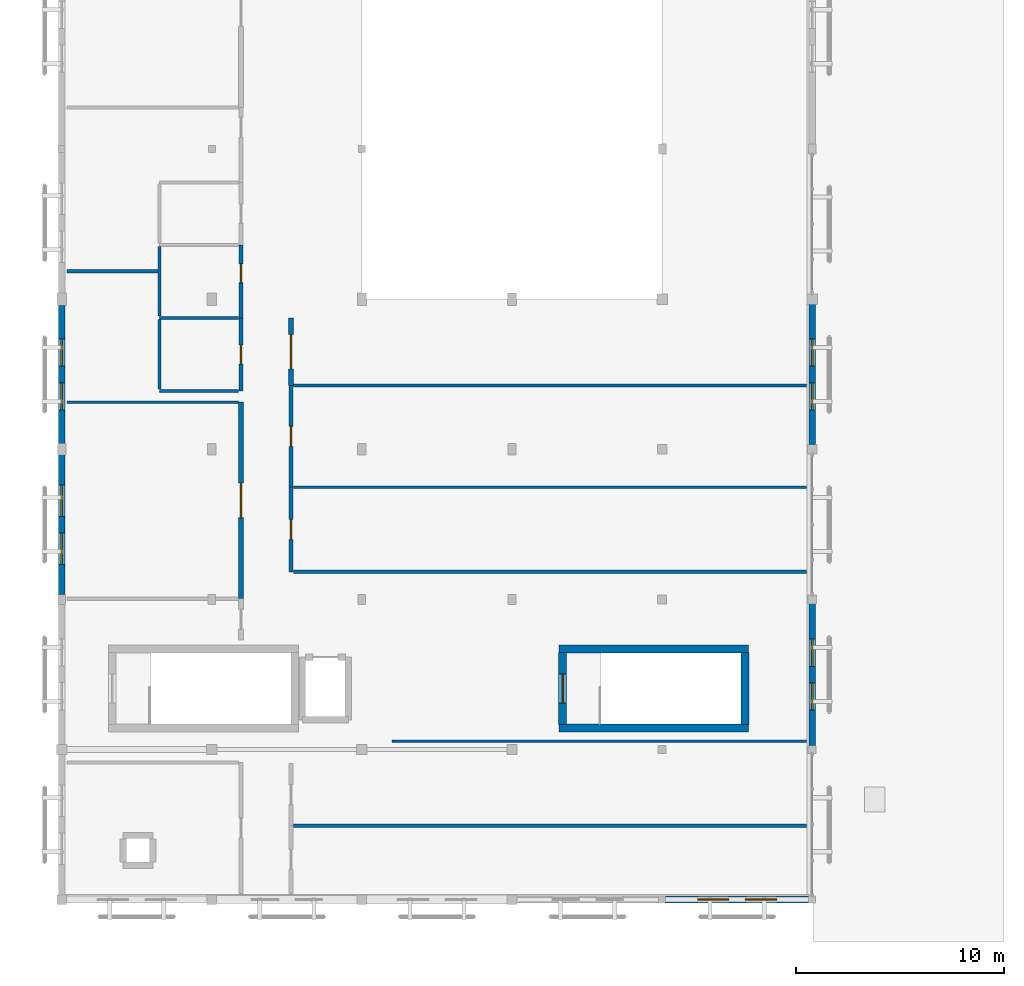
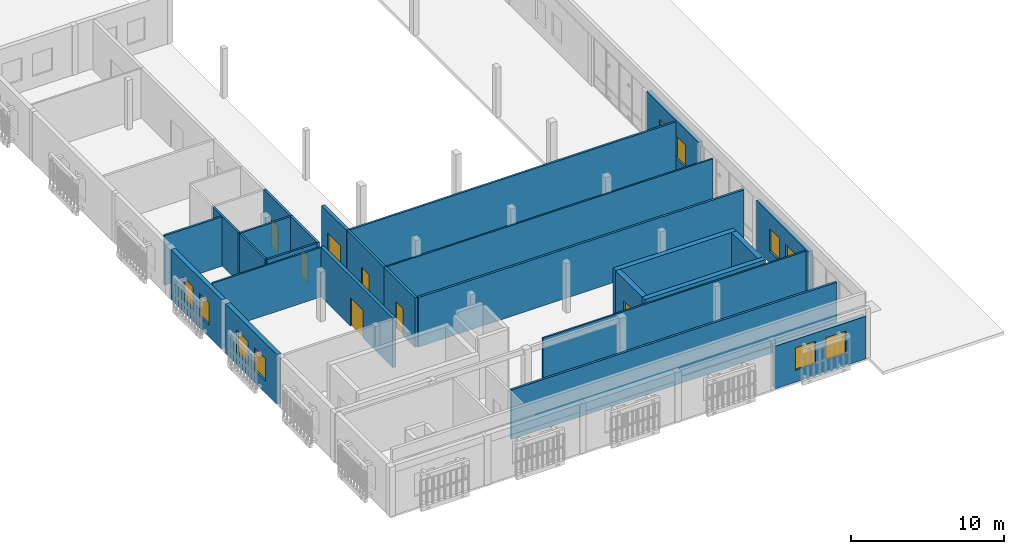
# One storey, part 8 of 11: 26 walls, 10 windows, 7 doors, 17 openings.
"""IFC4 building model written with IfcOpenShell, lengths in metres."""

from ifc_helpers import new_model, si_unit, direction, frame, frame_2d, origin, place, context, subcontext, project, spatial, rectangle, extrude, material, layer, layer_set, type_object, element, fill, save


model = new_model("IFC4")

# Units and contexts
model_context = context("Model", 3, precision=1e-05, world=origin(), true_north=direction((0.0, 1.0)))
body_context = subcontext(model_context, "Body", "Model", "MODEL_VIEW")
ifc_project = project(units=[si_unit("LENGTHUNIT", "METRE"), si_unit("AREAUNIT", "SQUARE_METRE"), si_unit("VOLUMEUNIT", "CUBIC_METRE"), si_unit("PLANEANGLEUNIT", "RADIAN"), si_unit("MASSUNIT", "GRAM", prefix="KILO")], contexts=[model_context])

# Site, building, storey
site_placement = place(None, origin())
site = spatial("IfcSite", under=ifc_project, at=site_placement, CompositionType="ELEMENT")
building_placement = place(site_placement, origin())
building = spatial("IfcBuilding", under=site, at=building_placement, Name="Mazaris Harbour Polytechnic", CompositionType="ELEMENT")
storey_placement = place(building_placement, frame((0.0, 0.0, 22.199951171875)))
storey = spatial("IfcBuildingStorey", under=building, at=storey_placement, Name="L05", CompositionType="ELEMENT", Elevation=22.199951171875)

# Walls
ifc_material_1 = material(Name="Gypsum Board and Mineral Wool")
ifc_layer_1 = layer(ifc_material_1, 0.1201171875, Name="Gypsum Board and Mineral Wool")
ifc_layer_set_1 = layer_set([ifc_layer_1], Name="Gypsum Board and Mineral Wool")
wall_type_1 = type_object("IfcWallType", Name="Acoustic Stud Partition 120", PredefinedType="PARTITIONING", material=ifc_layer_set_1)
wall_1_placement = place(storey_placement, frame((0.25, 31.05908203125, 0.0), z_axis=(0.0, 0.0, 1.0), x_axis=(1.0, 0.0, 0.0)))
element("IfcWall", 1, at=wall_1_placement, inside=storey, type_object=wall_type_1, Name="V4 L05 Partition 494", PredefinedType="PARTITIONING", context=body_context, shape_type="SweptSolid", body=[
    extrude(rectangle(XDim=8.219970703125, YDim=0.1201171875, at=frame_2d((4.10986328125, 0.0))), origin(), (0.0, 0.0, 1.0), 3.9599609375),
])
wall_2_placement = place(storey_placement, frame((15.85498046875, 14.805908203125, 0.0), z_axis=(0.0, 0.0, 1.0), x_axis=(1.0, 0.0, 0.0)))
element("IfcWall", 2, at=wall_2_placement, inside=storey, type_object=wall_type_1, Name="V4 L05 Partition 504", PredefinedType="PARTITIONING", context=body_context, shape_type="SweptSolid", body=[
    extrude(rectangle(XDim=19.882568359375, YDim=0.1201171875, at=frame_2d((9.94140625, 0.0))), origin(), (0.0, 0.0, 1.0), 3.9599609375),
])
wall_3_placement = place(storey_placement, frame((11.1201171875, 26.98291015625, 0.0), z_axis=(0.0, 0.0, 1.0), x_axis=(1.0, 0.0, 0.0)))
element("IfcWall", 3, at=wall_3_placement, inside=storey, type_object=wall_type_1, Name="V4 L05 Partition 507", PredefinedType="PARTITIONING", context=body_context, shape_type="SweptSolid", body=[
    extrude(rectangle(XDim=24.617431640625, YDim=0.1201171875, at=frame_2d((12.30859375, 0.0))), origin(), (0.0, 0.0, 1.0), 3.9599609375),
])

# Wall, opening, door
ifc_material_2 = material(Name="Concrete C35/45", Category="concrete")
ifc_layer_2 = layer(ifc_material_2, 0.239990234375, Name="Concrete C35/45")
ifc_layer_set_2 = layer_set([ifc_layer_2], Name="Concrete C35/45")
wall_type_2 = type_object("IfcWallType", Name="Archive Vault Fire Wall 240", PredefinedType="STANDARD", material=ifc_layer_set_2)
wall_4_placement = place(storey_placement, frame((8.60009765625, 21.639892578125, 0.0), z_axis=(0.0, 0.0, 1.0), x_axis=(0.0, 1.0, 0.0)))
wall_4 = element("IfcWall", 4, at=wall_4_placement, inside=storey, type_object=wall_type_2, Name="V4 L05 Partition 493", PredefinedType="STANDARD", context=body_context, shape_type="SweptSolid", body=[
    extrude(rectangle(XDim=9.419189453125, YDim=0.239990234375, at=frame_2d((4.70947265625, 0.0))), origin(), (0.0, 0.0, 1.0), 3.9599609375),
])
opening_1_placement = place(wall_4_placement, frame((3.884521484375, 0.0, 0.0)))
opening_1 = element("IfcOpeningElement", 5, at=opening_1_placement, cuts=wall_4, Name="Opening ID-06D", PredefinedType="OPENING", context=body_context, shape_type="SweptSolid", body=[
    extrude(rectangle(XDim=1.64990234375, YDim=2.25, at=frame_2d((0.824951171875, 1.125))), frame((0.0, 0.1298828125, 0.0), z_axis=(0.0, -1.0, 0.0), x_axis=(1.0, 0.0, 0.0)), (0.0, 0.0, 1.0), 0.260009765625),
])
ifc_material_3 = material(Name="Galvanised Steel S355", Category="steel")
door_type_1 = type_object("IfcDoorType", Name="Plant and Substation Double Door 1650x2250", OperationType="DOUBLE_DOOR_SINGLE_SWING", PredefinedType="DOOR", material=ifc_material_3)
door_1_placement = place(opening_1_placement, origin())
door_1 = element("IfcDoor", 6, at=door_1_placement, inside=storey, type_object=door_type_1, Name="ID-0233", OperationType="DOUBLE_DOOR_SINGLE_SWING", OverallHeight=2.25, OverallWidth=1.64990234375, PredefinedType="DOOR", context=body_context, shape_type="SweptSolid", body=[
    extrude(rectangle(XDim=1.64990234375, YDim=2.25, at=frame_2d((0.824951171875, 1.125))), frame((0.0, 0.02490234375, 0.0), z_axis=(0.0, -1.0, 0.0), x_axis=(1.0, 0.0, 0.0)), (0.0, 0.0, 1.0), 0.050048828125),
])
fill(opening_1, door_1)

wall_5_placement = place(storey_placement, frame((11.0, 31.85888671875, 0.0), z_axis=(0.0, 0.0, 1.0), x_axis=(0.0, 1.0, 0.0)))
wall_5 = element("IfcWall", 7, at=wall_5_placement, inside=storey, type_object=wall_type_2, Name="V4 L05 Partition 510", PredefinedType="STANDARD", context=body_context, shape_type="SweptSolid", body=[
    extrude(rectangle(XDim=3.2421875, YDim=0.239990234375, at=frame_2d((1.62109375, 0.0))), origin(), (0.0, 0.0, 1.0), 3.9599609375),
])
opening_2_placement = place(wall_5_placement, frame((0.7958984375, 0.0, 0.0)))
opening_2 = element("IfcOpeningElement", 8, at=opening_2_placement, cuts=wall_5, Name="Opening ID-06D", PredefinedType="OPENING", context=body_context, shape_type="SweptSolid", body=[
    extrude(rectangle(XDim=1.64990234375, YDim=2.25, at=frame_2d((0.824951171875, 1.125))), frame((0.0, 0.1298828125, 0.0), z_axis=(0.0, -1.0, 0.0), x_axis=(1.0, 0.0, 0.0)), (0.0, 0.0, 1.0), 0.260009765625),
])
door_2_placement = place(opening_2_placement, origin())
door_2 = element("IfcDoor", 9, at=door_2_placement, inside=storey, type_object=door_type_1, Name="ID-0241", OperationType="DOUBLE_DOOR_SINGLE_SWING", OverallHeight=2.25, OverallWidth=1.64990234375, PredefinedType="DOOR", context=body_context, shape_type="SweptSolid", body=[
    extrude(rectangle(XDim=1.64990234375, YDim=2.25, at=frame_2d((0.824951171875, 1.125))), frame((0.0, 0.02490234375, 0.0), z_axis=(0.0, -1.0, 0.0), x_axis=(1.0, 0.0, 0.0)), (0.0, 0.0, 1.0), 0.050048828125),
])
fill(opening_2, door_2)

# Walls
ifc_material_4 = material(Name="Double Gypsum and Mineral Wool")
ifc_layer_3 = layer(ifc_material_4, 0.14990234375, Name="Double Gypsum and Mineral Wool")
ifc_layer_set_3 = layer_set([ifc_layer_3], Name="Double Gypsum and Mineral Wool")
wall_type_3 = type_object("IfcWallType", Name="Classroom Acoustic Partition 150", PredefinedType="PARTITIONING", material=ifc_layer_set_3)
wall_6_placement = place(storey_placement, frame((0.25, 37.341064453125, 0.0), z_axis=(0.0, 0.0, 1.0), x_axis=(1.0, 0.0, 0.0)))
element("IfcWall", 10, at=wall_6_placement, inside=storey, type_object=wall_type_3, Name="V4 L05 Partition 496", PredefinedType="PARTITIONING", context=body_context, shape_type="SweptSolid", body=[
    extrude(rectangle(XDim=4.367431640625, YDim=0.14990234375, at=frame_2d((2.18359375, 0.0))), origin(), (0.0, 0.0, 1.0), 3.9599609375),
])
wall_7_placement = place(storey_placement, frame((11.1201171875, 31.85400390625, 0.0), z_axis=(0.0, 0.0, 1.0), x_axis=(1.0, 0.0, 0.0)))
element("IfcWall", 11, at=wall_7_placement, inside=storey, type_object=wall_type_3, Name="V4 L05 Partition 509", PredefinedType="PARTITIONING", context=body_context, shape_type="SweptSolid", body=[
    extrude(rectangle(XDim=24.617431640625, YDim=0.14990234375, at=frame_2d((12.30859375, 0.0))), origin(), (0.0, 0.0, 1.0), 3.9599609375),
])

# Wall, opening, door
ifc_material_5 = material(Name="Terracotta Block and Plaster", Category="masonry")
ifc_layer_4 = layer(ifc_material_5, 0.179931640625, Name="Terracotta Block and Plaster")
ifc_layer_set_4 = layer_set([ifc_layer_4], Name="Terracotta Block and Plaster")
wall_type_4 = type_object("IfcWallType", Name="Corridor Fire Partition 180", PredefinedType="PARTITIONING", material=ifc_layer_set_4)
wall_8_placement = place(storey_placement, frame((11.0, 22.924072265625, 0.0), z_axis=(0.0, 0.0, 1.0), x_axis=(0.0, 1.0, 0.0)))
wall_8 = element("IfcWall", 12, at=wall_8_placement, inside=storey, type_object=wall_type_4, Name="V4 L05 Partition 505", PredefinedType="PARTITIONING", context=body_context, shape_type="SweptSolid", body=[
    extrude(rectangle(XDim=4.058837890625, YDim=0.179931640625, at=frame_2d((2.029296875, 0.0))), origin(), (0.0, 0.0, 1.0), 3.9599609375),
])
opening_3_placement = place(wall_8_placement, frame((1.554443359375, 0.0, 0.0)))
opening_3 = element("IfcOpeningElement", 13, at=opening_3_placement, cuts=wall_8, Name="Opening ID-01L", PredefinedType="OPENING", context=body_context, shape_type="SweptSolid", body=[
    extrude(rectangle(XDim=0.949951171875, YDim=2.14990234375, at=frame_2d((0.47509765625, 1.074951171875))), frame((0.0, 0.099853515625, 0.0), z_axis=(0.0, -1.0, 0.0), x_axis=(1.0, 0.0, 0.0)), (0.0, 0.0, 1.0), 0.199951171875),
])
ifc_material_6 = material(Name="Solid Oak Timber", Category="wood")
door_type_2 = type_object("IfcDoorType", Name="Classroom Single Door LH 950x2150", OperationType="SINGLE_SWING_LEFT", PredefinedType="DOOR", material=ifc_material_6)
door_3_placement = place(opening_3_placement, origin())
door_3 = element("IfcDoor", 14, at=door_3_placement, inside=storey, type_object=door_type_2, Name="ID-0239", OperationType="SINGLE_SWING_LEFT", OverallHeight=2.14990234375, OverallWidth=0.949951171875, PredefinedType="DOOR", context=body_context, shape_type="SweptSolid", body=[
    extrude(rectangle(XDim=0.949951171875, YDim=2.14990234375, at=frame_2d((0.47509765625, 1.074951171875))), frame((0.0, 0.02490234375, 0.0), z_axis=(0.0, -1.0, 0.0), x_axis=(1.0, 0.0, 0.0)), (0.0, 0.0, 1.0), 0.050048828125),
])
fill(opening_3, door_3)

wall_9_placement = place(storey_placement, frame((11.0, 26.988037109375, 0.0), z_axis=(0.0, 0.0, 1.0), x_axis=(0.0, 1.0, 0.0)))
wall_9 = element("IfcWall", 15, at=wall_9_placement, inside=storey, type_object=wall_type_4, Name="V4 L05 Partition 508", PredefinedType="PARTITIONING", context=body_context, shape_type="SweptSolid", body=[
    extrude(rectangle(XDim=4.865966796875, YDim=0.179931640625, at=frame_2d((2.43310546875, 0.0))), origin(), (0.0, 0.0, 1.0), 3.9599609375),
])
opening_4_placement = place(wall_9_placement, frame((1.952880859375, 0.0, 0.0)))
opening_4 = element("IfcOpeningElement", 16, at=opening_4_placement, cuts=wall_9, Name="Opening ID-01R", PredefinedType="OPENING", context=body_context, shape_type="SweptSolid", body=[
    extrude(rectangle(XDim=0.9599609375, YDim=2.14990234375, at=frame_2d((0.47998046875, 1.074951171875))), frame((0.0, 0.099853515625, 0.0), z_axis=(0.0, -1.0, 0.0), x_axis=(1.0, 0.0, 0.0)), (0.0, 0.0, 1.0), 0.199951171875),
])
ifc_material_7 = material(Name="Solid Oak Timber", Category="wood")
door_type_3 = type_object("IfcDoorType", Name="Classroom Single Door RH 960x2150", OperationType="SINGLE_SWING_RIGHT", PredefinedType="DOOR", material=ifc_material_7)
door_4_placement = place(opening_4_placement, origin())
door_4 = element("IfcDoor", 17, at=door_4_placement, inside=storey, type_object=door_type_3, Name="ID-0240", OperationType="SINGLE_SWING_RIGHT", OverallHeight=2.14990234375, OverallWidth=0.9599609375, PredefinedType="DOOR", context=body_context, shape_type="SweptSolid", body=[
    extrude(rectangle(XDim=0.9599609375, YDim=2.14990234375, at=frame_2d((0.47998046875, 1.074951171875))), frame((0.0, 0.02490234375, 0.0), z_axis=(0.0, -1.0, 0.0), x_axis=(1.0, 0.0, 0.0)), (0.0, 0.0, 1.0), 0.050048828125),
])
fill(opening_4, door_4)

# Walls
ifc_material_8 = material(Name="Fireboard and Mineral Wool")
ifc_layer_5 = layer(ifc_material_8, 0.1650390625, Name="Fireboard and Mineral Wool")
ifc_layer_set_5 = layer_set([ifc_layer_5], Name="Fireboard and Mineral Wool")
wall_type_5 = type_object("IfcWallType", Name="Laboratory Rated Partition 165", PredefinedType="PARTITIONING", material=ifc_layer_set_5)
for number, where, z_axis, x_axis, name in (
    (18, (11.1201171875, 10.7470703125, 0.0), (0.0, 0.0, 1.0), (1.0, 0.0, 0.0), "V4 L05 Partition 502"),
    (19, (11.1201171875, 22.924072265625, 0.0), (0.0, 0.0, 1.0), (1.0, 0.0, 0.0), "V4 L05 Partition 506"),
):
    element("IfcWall", number, at=place(storey_placement, frame(where, z_axis=z_axis, x_axis=x_axis)), inside=storey, type_object=wall_type_5, Name=name, PredefinedType="PARTITIONING", context=body_context, shape_type="SweptSolid", body=[
        extrude(rectangle(XDim=24.617431640625, YDim=0.1650390625, at=frame_2d((12.30859375, 0.0))), origin(), (0.0, 0.0, 1.0), 3.9599609375),
    ])

# Wall, opening, door
ifc_material_9 = material(Name="Moisture-Resistant Blockwork", Category="masonry")
ifc_layer_6 = layer(ifc_material_9, 0.175048828125, Name="Moisture-Resistant Blockwork")
ifc_layer_set_6 = layer_set([ifc_layer_6], Name="Moisture-Resistant Blockwork")
wall_type_6 = type_object("IfcWallType", Name="Laboratory Wet Service Wall 175", PredefinedType="PLUMBINGWALL", material=ifc_layer_set_6)
wall_10_placement = place(storey_placement, frame((8.60009765625, 31.60009765625, 0.0), z_axis=(0.0, 0.0, 1.0), x_axis=(0.0, 1.0, 0.0)))
wall_10 = element("IfcWall", 20, at=wall_10_placement, inside=storey, type_object=wall_type_6, Name="V4 L05 Partition 479", PredefinedType="PLUMBINGWALL", context=body_context, shape_type="SweptSolid", body=[
    extrude(rectangle(XDim=3.5, YDim=0.175048828125, at=frame_2d((1.75, 0.0))), origin(), (0.0, 0.0, 1.0), 3.9599609375),
])
opening_5_placement = place(wall_10_placement, frame((1.300048828125, 0.0, 0.0)))
opening_5 = element("IfcOpeningElement", 21, at=opening_5_placement, cuts=wall_10, Name="Opening ID-07R", PredefinedType="OPENING", context=body_context, shape_type="SweptSolid", body=[
    extrude(rectangle(XDim=0.89990234375, YDim=2.10009765625, at=frame_2d((0.449951171875, 1.050048828125))), frame((0.0, 0.097412109375, 0.0), z_axis=(0.0, -1.0, 0.0), x_axis=(1.0, 0.0, 0.0)), (0.0, 0.0, 1.0), 0.195068359375),
])
ifc_material_10 = material(Name="Moisture-Resistant Laminate Timber", Category="wood")
door_type_4 = type_object("IfcDoorType", Name="Sanitary Room Door RH 900x2100", OperationType="SINGLE_SWING_RIGHT", PredefinedType="DOOR", material=ifc_material_10)
door_5_placement = place(opening_5_placement, origin())
door_5 = element("IfcDoor", 22, at=door_5_placement, inside=storey, type_object=door_type_4, Name="ID-0228", OperationType="SINGLE_SWING_RIGHT", OverallHeight=2.10009765625, OverallWidth=0.89990234375, PredefinedType="DOOR", context=body_context, shape_type="SweptSolid", body=[
    extrude(rectangle(XDim=0.89990234375, YDim=2.10009765625, at=frame_2d((0.449951171875, 1.050048828125))), frame((0.0, 0.02490234375, 0.0), z_axis=(0.0, -1.0, 0.0), x_axis=(1.0, 0.0, 0.0)), (0.0, 0.0, 1.0), 0.050048828125),
])
fill(opening_5, door_5)

wall_11_placement = place(storey_placement, frame((8.60009765625, 35.10498046875, 0.0), z_axis=(0.0, 0.0, 1.0), x_axis=(0.0, 1.0, 0.0)))
wall_11 = element("IfcWall", 23, at=wall_11_placement, inside=storey, type_object=wall_type_6, Name="V4 L05 Partition 483", PredefinedType="PLUMBINGWALL", context=body_context, shape_type="SweptSolid", body=[
    extrude(rectangle(XDim=3.4951171875, YDim=0.175048828125, at=frame_2d((1.74755859375, 0.0))), origin(), (0.0, 0.0, 1.0), 3.9599609375),
])
opening_6_placement = place(wall_11_placement, frame((1.686767578125, 0.0, 0.0)))
opening_6 = element("IfcOpeningElement", 24, at=opening_6_placement, cuts=wall_11, Name="Opening ID-07R", PredefinedType="OPENING", context=body_context, shape_type="SweptSolid", body=[
    extrude(rectangle(XDim=0.89990234375, YDim=2.10009765625, at=frame_2d((0.449951171875, 1.050048828125))), frame((0.0, 0.097412109375, 0.0), z_axis=(0.0, -1.0, 0.0), x_axis=(1.0, 0.0, 0.0)), (0.0, 0.0, 1.0), 0.195068359375),
])
door_6_placement = place(opening_6_placement, origin())
door_6 = element("IfcDoor", 25, at=door_6_placement, inside=storey, type_object=door_type_4, Name="ID-0229", OperationType="SINGLE_SWING_RIGHT", OverallHeight=2.10009765625, OverallWidth=0.89990234375, PredefinedType="DOOR", context=body_context, shape_type="SweptSolid", body=[
    extrude(rectangle(XDim=0.89990234375, YDim=2.10009765625, at=frame_2d((0.449951171875, 1.050048828125))), frame((0.0, 0.02490234375, 0.0), z_axis=(0.0, -1.0, 0.0), x_axis=(1.0, 0.0, 0.0)), (0.0, 0.0, 1.0), 0.050048828125),
])
fill(opening_6, door_6)

# Wall, openings, windows
ifc_material_11 = material(Name="Algerian Buff Limestone and Mineral Wool", Category="masonry")
ifc_layer_7 = layer(ifc_material_11, 0.330078125, Name="Algerian Buff Limestone and Mineral Wool")
ifc_layer_set_7 = layer_set([ifc_layer_7], Name="Algerian Buff Limestone and Mineral Wool")
wall_type_7 = type_object("IfcWallType", Name="Limestone Cavity Wall 330", PredefinedType="STANDARD", material=ifc_layer_set_7)
wall_12_placement = place(storey_placement, frame((35.837890625, 7.199951171875, 0.0), z_axis=(0.0, 0.0, 1.0), x_axis=(-1.0, 0.0, 0.0)))
wall_12 = element("IfcWall", 26, at=wall_12_placement, inside=storey, type_object=wall_type_7, Name="V4 L05 Exterior Wall 275", PredefinedType="STANDARD", context=body_context, shape_type="SweptSolid", body=[
    extrude(rectangle(XDim=6.8759765625, YDim=0.330078125, at=frame_2d((3.43798828125, 0.0))), origin(), (0.0, 0.0, 1.0), 3.41015625),
])
opening_7_placement = place(wall_12_placement, frame((1.5380859375, 0.0, 0.949951171875)))
opening_7 = element("IfcOpeningElement", 27, at=opening_7_placement, cuts=wall_12, Name="Opening WN-14", PredefinedType="OPENING", context=body_context, shape_type="SweptSolid", body=[
    extrude(rectangle(XDim=1.5, YDim=1.800048828125, at=frame_2d((0.75, 0.89990234375))), frame((0.0, 0.175048828125, 0.0), z_axis=(0.0, -1.0, 0.0), x_axis=(1.0, 0.0, 0.0)), (0.0, 0.0, 1.0), 0.35009765625),
])
opening_8_placement = place(wall_12_placement, frame((3.837890625, 0.0, 0.949951171875)))
opening_8 = element("IfcOpeningElement", 28, at=opening_8_placement, cuts=wall_12, Name="Opening WN-14", PredefinedType="OPENING", context=body_context, shape_type="SweptSolid", body=[
    extrude(rectangle(XDim=1.5, YDim=1.800048828125, at=frame_2d((0.75, 0.89990234375))), frame((0.0, 0.175048828125, 0.0), z_axis=(0.0, -1.0, 0.0), x_axis=(1.0, 0.0, 0.0)), (0.0, 0.0, 1.0), 0.35009765625),
])
ifc_material_12 = material(Name="Thermally Broken Bronze Aluminium and Low-E Glass", Category="aluminium")
window_type_1 = type_object("IfcWindowType", Name="Attic Deep-Reveal Window 1500x1800", PartitioningType="DOUBLE_PANEL_VERTICAL", PredefinedType="WINDOW", material=ifc_material_12)
window_1_placement = place(opening_7_placement, origin())
window_1 = element("IfcWindow", 29, at=window_1_placement, inside=storey, type_object=window_type_1, Name="WN-0320", OverallHeight=1.800048828125, OverallWidth=1.5, PartitioningType="DOUBLE_PANEL_VERTICAL", PredefinedType="WINDOW", context=body_context, shape_type="SweptSolid", body=[
    extrude(rectangle(XDim=1.5, YDim=1.800048828125, at=frame_2d((0.75, 0.89990234375))), frame((0.0, 0.030029296875, 0.0), z_axis=(0.0, -1.0, 0.0), x_axis=(1.0, 0.0, 0.0)), (0.0, 0.0, 1.0), 0.06005859375),
])
fill(opening_7, window_1)
window_2_placement = place(opening_8_placement, origin())
window_2 = element("IfcWindow", 30, at=window_2_placement, inside=storey, type_object=window_type_1, Name="WN-0321", OverallHeight=1.800048828125, OverallWidth=1.5, PartitioningType="DOUBLE_PANEL_VERTICAL", PredefinedType="WINDOW", context=body_context, shape_type="SweptSolid", body=[
    extrude(rectangle(XDim=1.5, YDim=1.800048828125, at=frame_2d((0.75, 0.89990234375))), frame((0.0, 0.030029296875, 0.0), z_axis=(0.0, -1.0, 0.0), x_axis=(1.0, 0.0, 0.0)), (0.0, 0.0, 1.0), 0.06005859375),
])
fill(opening_8, window_2)

wall_13_placement = place(storey_placement, frame((0.0, 21.83203125, 0.0), z_axis=(0.0, 0.0, 1.0), x_axis=(0.0, 1.0, 0.0)))
wall_13 = element("IfcWall", 31, at=wall_13_placement, inside=storey, type_object=wall_type_7, Name="V4 L05 Exterior Wall 281", PredefinedType="STANDARD", context=body_context, shape_type="SweptSolid", body=[
    extrude(rectangle(XDim=6.7060546875, YDim=0.330078125, at=frame_2d((3.35302734375, 0.0))), origin(), (0.0, 0.0, 1.0), 3.9599609375),
])
opening_9_placement = place(wall_13_placement, frame((1.452880859375, 0.0, 0.949951171875)))
opening_9 = element("IfcOpeningElement", 32, at=opening_9_placement, cuts=wall_13, Name="Opening WN-14", PredefinedType="OPENING", context=body_context, shape_type="SweptSolid", body=[
    extrude(rectangle(XDim=1.5, YDim=1.800048828125, at=frame_2d((0.75, 0.89990234375))), frame((0.0, 0.175048828125, 0.0), z_axis=(0.0, -1.0, 0.0), x_axis=(1.0, 0.0, 0.0)), (0.0, 0.0, 1.0), 0.35009765625),
])
opening_10_placement = place(wall_13_placement, frame((3.7529296875, 0.0, 0.949951171875)))
opening_10 = element("IfcOpeningElement", 33, at=opening_10_placement, cuts=wall_13, Name="Opening WN-14", PredefinedType="OPENING", context=body_context, shape_type="SweptSolid", body=[
    extrude(rectangle(XDim=1.5, YDim=1.800048828125, at=frame_2d((0.75, 0.89990234375))), frame((0.0, 0.175048828125, 0.0), z_axis=(0.0, -1.0, 0.0), x_axis=(1.0, 0.0, 0.0)), (0.0, 0.0, 1.0), 0.35009765625),
])
window_3_placement = place(opening_9_placement, origin())
window_3 = element("IfcWindow", 34, at=window_3_placement, inside=storey, type_object=window_type_1, Name="WN-0332", OverallHeight=1.800048828125, OverallWidth=1.5, PartitioningType="DOUBLE_PANEL_VERTICAL", PredefinedType="WINDOW", context=body_context, shape_type="SweptSolid", body=[
    extrude(rectangle(XDim=1.5, YDim=1.800048828125, at=frame_2d((0.75, 0.89990234375))), frame((0.0, 0.030029296875, 0.0), z_axis=(0.0, -1.0, 0.0), x_axis=(1.0, 0.0, 0.0)), (0.0, 0.0, 1.0), 0.06005859375),
])
fill(opening_9, window_3)
window_4_placement = place(opening_10_placement, origin())
window_4 = element("IfcWindow", 35, at=window_4_placement, inside=storey, type_object=window_type_1, Name="WN-0333", OverallHeight=1.800048828125, OverallWidth=1.5, PartitioningType="DOUBLE_PANEL_VERTICAL", PredefinedType="WINDOW", context=body_context, shape_type="SweptSolid", body=[
    extrude(rectangle(XDim=1.5, YDim=1.800048828125, at=frame_2d((0.75, 0.89990234375))), frame((0.0, 0.030029296875, 0.0), z_axis=(0.0, -1.0, 0.0), x_axis=(1.0, 0.0, 0.0)), (0.0, 0.0, 1.0), 0.06005859375),
])
fill(opening_10, window_4)

wall_14_placement = place(storey_placement, frame((0.0, 29.06201171875, 0.0), z_axis=(0.0, 0.0, 1.0), x_axis=(0.0, 1.0, 0.0)))
wall_14 = element("IfcWall", 36, at=wall_14_placement, inside=storey, type_object=wall_type_7, Name="V4 L05 Exterior Wall 282", PredefinedType="STANDARD", context=body_context, shape_type="SweptSolid", body=[
    extrude(rectangle(XDim=6.64599609375, YDim=0.330078125, at=frame_2d((3.322998046875, 0.0))), origin(), (0.0, 0.0, 1.0), 3.9599609375),
])
opening_11_placement = place(wall_14_placement, frame((1.623046875, 0.0, 0.949951171875)))
opening_11 = element("IfcOpeningElement", 37, at=opening_11_placement, cuts=wall_14, Name="Opening WN-13", PredefinedType="OPENING", context=body_context, shape_type="SweptSolid", body=[
    extrude(rectangle(XDim=1.300048828125, YDim=1.800048828125, at=frame_2d((0.64990234375, 0.89990234375))), frame((0.0, 0.175048828125, 0.0), z_axis=(0.0, -1.0, 0.0), x_axis=(1.0, 0.0, 0.0)), (0.0, 0.0, 1.0), 0.35009765625),
])
opening_12_placement = place(wall_14_placement, frame((3.722900390625, 0.0, 0.949951171875)))
opening_12 = element("IfcOpeningElement", 38, at=opening_12_placement, cuts=wall_14, Name="Opening WN-13", PredefinedType="OPENING", context=body_context, shape_type="SweptSolid", body=[
    extrude(rectangle(XDim=1.300048828125, YDim=1.800048828125, at=frame_2d((0.64990234375, 0.89990234375))), frame((0.0, 0.175048828125, 0.0), z_axis=(0.0, -1.0, 0.0), x_axis=(1.0, 0.0, 0.0)), (0.0, 0.0, 1.0), 0.35009765625),
])
ifc_material_13 = material(Name="Thermally Broken Bronze Aluminium and Low-E Glass", Category="aluminium")
window_type_2 = type_object("IfcWindowType", Name="Attic Deep-Reveal Window 1300x1800", PartitioningType="DOUBLE_PANEL_VERTICAL", PredefinedType="WINDOW", material=ifc_material_13)
window_5_placement = place(opening_11_placement, origin())
window_5 = element("IfcWindow", 39, at=window_5_placement, inside=storey, type_object=window_type_2, Name="WN-0334", OverallHeight=1.800048828125, OverallWidth=1.300048828125, PartitioningType="DOUBLE_PANEL_VERTICAL", PredefinedType="WINDOW", context=body_context, shape_type="SweptSolid", body=[
    extrude(rectangle(XDim=1.300048828125, YDim=1.800048828125, at=frame_2d((0.64990234375, 0.89990234375))), frame((0.0, 0.030029296875, 0.0), z_axis=(0.0, -1.0, 0.0), x_axis=(1.0, 0.0, 0.0)), (0.0, 0.0, 1.0), 0.06005859375),
])
fill(opening_11, window_5)
window_6_placement = place(opening_12_placement, origin())
window_6 = element("IfcWindow", 40, at=window_6_placement, inside=storey, type_object=window_type_2, Name="WN-0335", OverallHeight=1.800048828125, OverallWidth=1.300048828125, PartitioningType="DOUBLE_PANEL_VERTICAL", PredefinedType="WINDOW", context=body_context, shape_type="SweptSolid", body=[
    extrude(rectangle(XDim=1.300048828125, YDim=1.800048828125, at=frame_2d((0.64990234375, 0.89990234375))), frame((0.0, 0.030029296875, 0.0), z_axis=(0.0, -1.0, 0.0), x_axis=(1.0, 0.0, 0.0)), (0.0, 0.0, 1.0), 0.06005859375),
])
fill(opening_12, window_6)

wall_15_placement = place(storey_placement, frame((36.0, 21.39794921875, 0.0), z_axis=(0.0, 0.0, 1.0), x_axis=(0.0, -1.0, 0.0)))
wall_15 = element("IfcWall", 41, at=wall_15_placement, inside=storey, type_object=wall_type_7, Name="V4 L05 Exterior Wall 286", PredefinedType="STANDARD", context=body_context, shape_type="SweptSolid", body=[
    extrude(rectangle(XDim=6.81591796875, YDim=0.330078125, at=frame_2d((3.407958984375, 0.0))), origin(), (0.0, 0.0, 1.0), 3.9599609375),
])
opening_13_placement = place(wall_15_placement, frame((1.7080078125, 0.0, 0.949951171875)))
opening_13 = element("IfcOpeningElement", 42, at=opening_13_placement, cuts=wall_15, Name="Opening WN-13", PredefinedType="OPENING", context=body_context, shape_type="SweptSolid", body=[
    extrude(rectangle(XDim=1.300048828125, YDim=1.800048828125, at=frame_2d((0.64990234375, 0.89990234375))), frame((0.0, 0.175048828125, 0.0), z_axis=(0.0, -1.0, 0.0), x_axis=(1.0, 0.0, 0.0)), (0.0, 0.0, 1.0), 0.35009765625),
])
opening_14_placement = place(wall_15_placement, frame((3.80810546875, 0.0, 0.949951171875)))
opening_14 = element("IfcOpeningElement", 43, at=opening_14_placement, cuts=wall_15, Name="Opening WN-13", PredefinedType="OPENING", context=body_context, shape_type="SweptSolid", body=[
    extrude(rectangle(XDim=1.300048828125, YDim=1.800048828125, at=frame_2d((0.64990234375, 0.89990234375))), frame((0.0, 0.175048828125, 0.0), z_axis=(0.0, -1.0, 0.0), x_axis=(1.0, 0.0, 0.0)), (0.0, 0.0, 1.0), 0.35009765625),
])
window_7_placement = place(opening_13_placement, origin())
window_7 = element("IfcWindow", 44, at=window_7_placement, inside=storey, type_object=window_type_2, Name="WN-0342", OverallHeight=1.800048828125, OverallWidth=1.300048828125, PartitioningType="DOUBLE_PANEL_VERTICAL", PredefinedType="WINDOW", context=body_context, shape_type="SweptSolid", body=[
    extrude(rectangle(XDim=1.300048828125, YDim=1.800048828125, at=frame_2d((0.64990234375, 0.89990234375))), frame((0.0, 0.030029296875, 0.0), z_axis=(0.0, -1.0, 0.0), x_axis=(1.0, 0.0, 0.0)), (0.0, 0.0, 1.0), 0.06005859375),
])
fill(opening_13, window_7)
window_8_placement = place(opening_14_placement, origin())
window_8 = element("IfcWindow", 45, at=window_8_placement, inside=storey, type_object=window_type_2, Name="WN-0343", OverallHeight=1.800048828125, OverallWidth=1.300048828125, PartitioningType="DOUBLE_PANEL_VERTICAL", PredefinedType="WINDOW", context=body_context, shape_type="SweptSolid", body=[
    extrude(rectangle(XDim=1.300048828125, YDim=1.800048828125, at=frame_2d((0.64990234375, 0.89990234375))), frame((0.0, 0.030029296875, 0.0), z_axis=(0.0, -1.0, 0.0), x_axis=(1.0, 0.0, 0.0)), (0.0, 0.0, 1.0), 0.06005859375),
])
fill(opening_14, window_8)

wall_16_placement = place(storey_placement, frame((36.0, 35.758056640625, 0.0), z_axis=(0.0, 0.0, 1.0), x_axis=(0.0, -1.0, 0.0)))
wall_16 = element("IfcWall", 46, at=wall_16_placement, inside=storey, type_object=wall_type_7, Name="V4 L05 Exterior Wall 287", PredefinedType="STANDARD", context=body_context, shape_type="SweptSolid", body=[
    extrude(rectangle(XDim=6.736083984375, YDim=0.330078125, at=frame_2d((3.3681640625, 0.0))), origin(), (0.0, 0.0, 1.0), 3.9599609375),
])
opening_15_placement = place(wall_16_placement, frame((1.66796875, 0.0, 0.949951171875)))
opening_15 = element("IfcOpeningElement", 47, at=opening_15_placement, cuts=wall_16, Name="Opening WN-13", PredefinedType="OPENING", context=body_context, shape_type="SweptSolid", body=[
    extrude(rectangle(XDim=1.300048828125, YDim=1.800048828125, at=frame_2d((0.64990234375, 0.89990234375))), frame((0.0, 0.175048828125, 0.0), z_axis=(0.0, -1.0, 0.0), x_axis=(1.0, 0.0, 0.0)), (0.0, 0.0, 1.0), 0.35009765625),
])
opening_16_placement = place(wall_16_placement, frame((3.76806640625, 0.0, 0.949951171875)))
opening_16 = element("IfcOpeningElement", 48, at=opening_16_placement, cuts=wall_16, Name="Opening WN-13", PredefinedType="OPENING", context=body_context, shape_type="SweptSolid", body=[
    extrude(rectangle(XDim=1.300048828125, YDim=1.800048828125, at=frame_2d((0.64990234375, 0.89990234375))), frame((0.0, 0.175048828125, 0.0), z_axis=(0.0, -1.0, 0.0), x_axis=(1.0, 0.0, 0.0)), (0.0, 0.0, 1.0), 0.35009765625),
])
window_9_placement = place(opening_15_placement, origin())
window_9 = element("IfcWindow", 49, at=window_9_placement, inside=storey, type_object=window_type_2, Name="WN-0344", OverallHeight=1.800048828125, OverallWidth=1.300048828125, PartitioningType="DOUBLE_PANEL_VERTICAL", PredefinedType="WINDOW", context=body_context, shape_type="SweptSolid", body=[
    extrude(rectangle(XDim=1.300048828125, YDim=1.800048828125, at=frame_2d((0.64990234375, 0.89990234375))), frame((0.0, 0.030029296875, 0.0), z_axis=(0.0, -1.0, 0.0), x_axis=(1.0, 0.0, 0.0)), (0.0, 0.0, 1.0), 0.06005859375),
])
fill(opening_15, window_9)
window_10_placement = place(opening_16_placement, origin())
window_10 = element("IfcWindow", 50, at=window_10_placement, inside=storey, type_object=window_type_2, Name="WN-0345", OverallHeight=1.800048828125, OverallWidth=1.300048828125, PartitioningType="DOUBLE_PANEL_VERTICAL", PredefinedType="WINDOW", context=body_context, shape_type="SweptSolid", body=[
    extrude(rectangle(XDim=1.300048828125, YDim=1.800048828125, at=frame_2d((0.64990234375, 0.89990234375))), frame((0.0, 0.030029296875, 0.0), z_axis=(0.0, -1.0, 0.0), x_axis=(1.0, 0.0, 0.0)), (0.0, 0.0, 1.0), 0.06005859375),
])
fill(opening_16, window_10)

# Walls
ifc_material_14 = material(Name="Concrete C40/50", Category="concrete")
ifc_layer_8 = layer(ifc_material_14, 0.375, Name="Concrete C40/50")
ifc_layer_set_8 = layer_set([ifc_layer_8], Name="Concrete C40/50")
wall_type_8 = type_object("IfcWallType", Name="RC Core Shear Wall 375", PredefinedType="SHEAR", material=ifc_layer_set_8)
for number, where, z_axis, x_axis, name in (
    (51, (23.85009765625, 15.425048828125, 0.0), (0.0, 0.0, 1.0), (1.0, 0.0, 0.0), "Core ST08 L05 Shear Wall S"),
    (52, (32.949951171875, 19.22509765625, 0.0), (0.0, 0.0, 1.0), (-1.0, 0.0, 0.0), "Core ST08 L05 Shear Wall N"),
):
    element("IfcWall", number, at=place(storey_placement, frame(where, z_axis=z_axis, x_axis=x_axis)), inside=storey, type_object=wall_type_8, Name=name, PredefinedType="SHEAR", context=body_context, shape_type="SweptSolid", body=[
        extrude(rectangle(XDim=9.099853515625, YDim=0.375, at=frame_2d((4.5498046875, 0.0))), origin(), (0.0, 0.0, 1.0), 3.9599609375),
    ])
wall_17_placement = place(storey_placement, frame((32.77490234375, 15.60009765625, 0.0), z_axis=(0.0, 0.0, 1.0), x_axis=(0.0, 1.0, 0.0)))
element("IfcWall", 53, at=wall_17_placement, inside=storey, type_object=wall_type_8, Name="Core ST08 L05 Shear Wall E", PredefinedType="SHEAR", context=body_context, shape_type="SweptSolid", body=[
    extrude(rectangle(XDim=3.449951171875, YDim=0.375, at=frame_2d((1.72509765625, 0.0))), origin(), (0.0, 0.0, 1.0), 3.9599609375),
])

# Wall, opening, door
wall_18_placement = place(storey_placement, frame((24.02490234375, 19.050048828125, 0.0), z_axis=(0.0, 0.0, 1.0), x_axis=(0.0, -1.0, 0.0)))
wall_18 = element("IfcWall", 54, at=wall_18_placement, inside=storey, type_object=wall_type_8, Name="Core ST08 L05 Entrance Shear Wall", PredefinedType="SHEAR", context=body_context, shape_type="SweptSolid", body=[
    extrude(rectangle(XDim=3.449951171875, YDim=0.375, at=frame_2d((1.72509765625, 0.0))), origin(), (0.0, 0.0, 1.0), 3.9599609375),
])
opening_17_placement = place(wall_18_placement, frame((1.034912109375, 0.0, 0.0)))
opening_17 = element("IfcOpeningElement", 55, at=opening_17_placement, cuts=wall_18, Name="Opening SD-01", PredefinedType="OPENING", context=body_context, shape_type="SweptSolid", body=[
    extrude(rectangle(XDim=1.3798828125, YDim=2.199951171875, at=frame_2d((0.68994140625, 1.10009765625))), frame((0.0, 0.197509765625, 0.0), z_axis=(0.0, -1.0, 0.0), x_axis=(1.0, 0.0, 0.0)), (0.0, 0.0, 1.0), 0.39501953125),
])
ifc_material_15 = material(Name="Glulam Timber and Fire Glass", Category="wood")
door_type_5 = type_object("IfcDoorType", Name="Protected Stair Lobby Fire Door 1380x2200", OperationType="DOUBLE_DOOR_SINGLE_SWING", PredefinedType="DOOR", material=ifc_material_15)
door_7_placement = place(opening_17_placement, origin())
door_7 = element("IfcDoor", 56, at=door_7_placement, inside=storey, type_object=door_type_5, Name="SD-041", OperationType="DOUBLE_DOOR_SINGLE_SWING", OverallHeight=2.199951171875, OverallWidth=1.3798828125, PredefinedType="DOOR", context=body_context, shape_type="SweptSolid", body=[
    extrude(rectangle(XDim=1.3798828125, YDim=2.199951171875, at=frame_2d((0.68994140625, 1.10009765625))), frame((0.0, 0.02490234375, 0.0), z_axis=(0.0, -1.0, 0.0), x_axis=(1.0, 0.0, 0.0)), (0.0, 0.0, 1.0), 0.050048828125),
])
fill(opening_17, door_7)

# Walls
ifc_material_16 = material(Name="Moisture-Resistant Gypsum and Steel Stud", Category="steel")
ifc_layer_9 = layer(ifc_material_16, 0.14501953125, Name="Moisture-Resistant Gypsum and Steel Stud")
ifc_layer_set_9 = layer_set([ifc_layer_9], Name="Moisture-Resistant Gypsum and Steel Stud")
wall_type_9 = type_object("IfcWallType", Name="Sanitary Plumbing Wall 145", PredefinedType="PLUMBINGWALL", material=ifc_layer_set_9)
for number, where, z_axis, x_axis, name in (
    (57, (4.699951171875, 31.60009765625, 0.0), (0.0, 0.0, 1.0), (1.0, 0.0, 0.0), "V4 L05 Partition 480"),
    (58, (4.699951171875, 35.10009765625, 0.0), (0.0, 0.0, 1.0), (1.0, 0.0, 0.0), "V4 L05 Partition 481"),
):
    element("IfcWall", number, at=place(storey_placement, frame(where, z_axis=z_axis, x_axis=x_axis)), inside=storey, type_object=wall_type_9, Name=name, PredefinedType="PLUMBINGWALL", context=body_context, shape_type="SweptSolid", body=[
        extrude(rectangle(XDim=3.780029296875, YDim=0.14501953125, at=frame_2d((1.89013671875, 0.0))), origin(), (0.0, 0.0, 1.0), 3.9599609375),
    ])
for number, where, z_axis, x_axis, name in (
    (59, (4.699951171875, 31.6826171875, 0.0), (0.0, 0.0, 1.0), (0.0, 1.0, 0.0), "V4 L05 Partition 482"),
    (60, (4.699951171875, 35.1826171875, 0.0), (0.0, 0.0, 1.0), (0.0, 1.0, 0.0), "V4 L05 Partition 485"),
):
    element("IfcWall", number, at=place(storey_placement, frame(where, z_axis=z_axis, x_axis=x_axis)), inside=storey, type_object=wall_type_9, Name=name, PredefinedType="PLUMBINGWALL", context=body_context, shape_type="SweptSolid", body=[
        extrude(rectangle(XDim=3.3349609375, YDim=0.14501953125, at=frame_2d((1.66748046875, 0.0))), origin(), (0.0, 0.0, 1.0), 3.9599609375),
    ])

save(model, "model.ifc")
